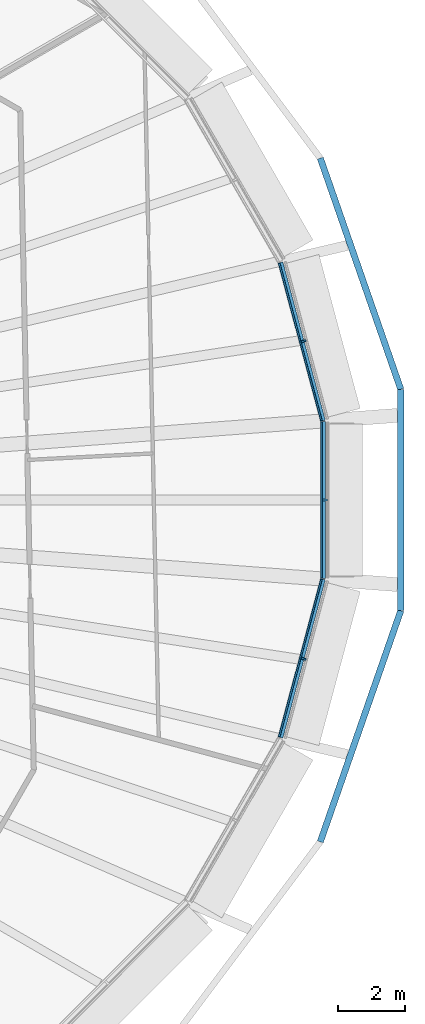
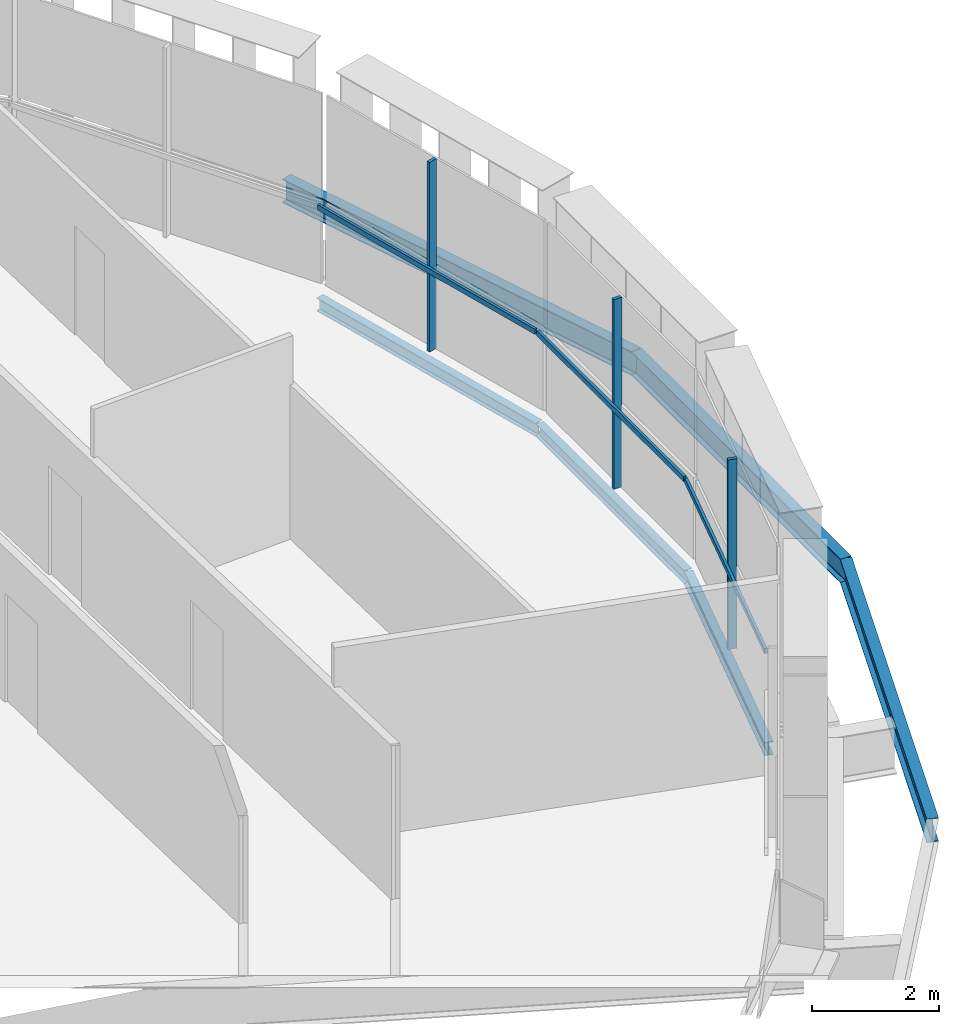
# One storey, part 12 of 26: 6 beams, 6 members, 3 elements without a shape of their own.
"""IFC4 building model written with IfcOpenShell, lengths in metres."""

from ifc_helpers import new_model, si_unit, direction, frame, origin, origin_2d, place, context, subcontext, project, spatial, rectangle, i_section, extrude, material, layer, layer_set, material_profile, profile_set, type_object, element, aggregate, save


model = new_model("IFC4")

# Units and contexts
model_context = context("Model", 3, precision=1e-05, world=origin(), true_north=direction((0.0, 1.0)))
body_context = subcontext(model_context, "Body", "Model", "MODEL_VIEW")
ifc_project = project(units=[si_unit("LENGTHUNIT", "METRE"), si_unit("AREAUNIT", "SQUARE_METRE"), si_unit("VOLUMEUNIT", "CUBIC_METRE"), si_unit("PLANEANGLEUNIT", "RADIAN"), si_unit("MASSUNIT", "GRAM", prefix="KILO")], contexts=[model_context])

# Site, building, storey
site_placement = place(None, origin())
site = spatial("IfcSite", under=ifc_project, at=site_placement, CompositionType="ELEMENT")
building_placement = place(site_placement, origin())
building = spatial("IfcBuilding", under=site, at=building_placement, Name="Sahrelin Media Tower", CompositionType="ELEMENT")
storey_placement = place(building_placement, frame((0.0, 0.0, 88.199951171875)))
storey = spatial("IfcBuildingStorey", under=building, at=storey_placement, Name="L16", CompositionType="ELEMENT", Elevation=88.199951171875)

# Beams
ifc_material_1 = material(Name="Steel S355", Category="steel")
ifc_material_profile_1 = material_profile(ifc_material_1, i_section(OverallWidth=0.14599609375, OverallDepth=0.25146484375, WebThickness=0.006103515625, FlangeThickness=0.008544921875, FilletRadius=0.007568359375, at=origin_2d()), Name="UB 254x146x31")
ifc_profile_set_1 = profile_set([ifc_material_profile_1], Name="Steel S355")
beam_type_1 = type_object("IfcBeamType", Name="Edge beam EB1", PredefinedType="BEAM", material=ifc_profile_set_1)
beam_1_placement = place(storey_placement, frame((31.561279296875, 2.33251953125, -0.275634765625), z_axis=(0.0, -1.0, 0.0), x_axis=(1.0, 0.0, 0.0)))
element("IfcBeam", 1, at=beam_1_placement, inside=storey, type_object=beam_type_1, Name="Edge beam L16-01", PredefinedType="BEAM", context=body_context, shape_type="SweptSolid", body=[
    extrude(i_section(OverallWidth=0.14599609375, OverallDepth=0.25146484375, WebThickness=0.006103515625, FlangeThickness=0.008544921875, FilletRadius=0.007568359375, at=origin_2d()), origin(), (0.0, 0.0, 1.0), 4.6650390625),
])
for number, where, z_axis, x_axis, name in (
    (2, (31.5576171875, -2.361083984375, -0.275634765625), (-0.258845236834, -0.965918807855, 0.0), (0.965918807855, -0.258845236834, 0.0), "Edge beam L16-02"),
    (3, (30.2939453125, 7.07666015625, -0.275634765625), (0.258845236834, -0.965918807855, 0.0), (0.965918807855, 0.258845236834, 0.0), "Edge beam L16-24"),
):
    element("IfcBeam", number, at=place(storey_placement, frame(where, z_axis=z_axis, x_axis=x_axis)), inside=storey, type_object=beam_type_1, Name=name, PredefinedType="BEAM", context=body_context, shape_type="SweptSolid", body=[
        extrude(i_section(OverallWidth=0.14599609375, OverallDepth=0.25146484375, WebThickness=0.006103515625, FlangeThickness=0.008544921875, FilletRadius=0.007568359375, at=origin_2d()), origin(), (0.0, 0.0, 1.0), 4.882080078125),
    ])

# Curtain wall, member
ifc_material_2 = material(Name="Champagne anodised aluminium 6063-T6", Category="aluminium")
ifc_layer = layer(ifc_material_2, 0.14990234375)
ifc_layer_set = layer_set([ifc_layer], Name="Tower ribbon curtain wall")
curtain_wall_type = type_object("IfcCurtainWallType", Name="Tower ribbon curtain wall", PredefinedType="NOTDEFINED", material=ifc_layer_set)
curtain_wall_1_placement = place(storey_placement, frame((31.711181640625, 0.0, 0.0), z_axis=(0.0, 0.0, 1.0), x_axis=(1.0, 0.0, 0.0)))
curtain_wall_1 = element("IfcCurtainWall", 4, at=curtain_wall_1_placement, inside=storey, type_object=curtain_wall_type, Name="L16:CW:L16-00", PredefinedType="NOTDEFINED")
ifc_material_profile_2 = material_profile(ifc_material_2, rectangle(XDim=0.06005859375, YDim=0.14990234375, at=origin_2d()), Name="Mullion 60x150")
ifc_profile_set_2 = profile_set([ifc_material_profile_2], Name="Champagne anodised aluminium 6063-T6")
member_type_1 = type_object("IfcMemberType", Name="Mullion 60x150 CW1", PredefinedType="MULLION", material=ifc_profile_set_2)
member_1_placement = place(storey_placement, frame((31.6162109375, 0.0, 0.0), z_axis=(0.0, 0.0, 1.0), x_axis=(0.0, 1.0, 0.0)))
member_1 = element("IfcMember", 5, at=member_1_placement, type_object=member_type_1, Name="L16:CWM:L16-00", PredefinedType="MULLION", context=body_context, shape_type="SweptSolid", body=[
    extrude(rectangle(XDim=0.06005859375, YDim=0.14990234375, at=origin_2d()), origin(), (0.0, 0.0, 1.0), 3.648681640625),
])

curtain_wall_2_placement = place(storey_placement, frame((31.07080078125, 4.757568359375, 0.0), z_axis=(0.0, 0.0, 1.0), x_axis=(1.0, 0.0, 0.0)))
curtain_wall_2 = element("IfcCurtainWall", 6, at=curtain_wall_2_placement, inside=storey, type_object=curtain_wall_type, Name="L16:CW:L16-01", PredefinedType="NOTDEFINED")
member_2_placement = place(storey_placement, frame((30.97900390625, 4.733154296875, 0.0), z_axis=(0.0, 0.0, 1.0), x_axis=(-0.258817359244, 0.965926278012, 0.0)))
member_2 = element("IfcMember", 7, at=member_2_placement, type_object=member_type_1, Name="L16:CWM:L16-01", PredefinedType="MULLION", context=body_context, shape_type="SweptSolid", body=[
    extrude(rectangle(XDim=0.06005859375, YDim=0.14990234375, at=origin_2d()), origin(), (0.0, 0.0, 1.0), 3.648681640625),
])

curtain_wall_3_placement = place(storey_placement, frame((31.07080078125, -4.757568359375, 0.0), z_axis=(0.0, 0.0, 1.0), x_axis=(1.0, 0.0, 0.0)))
curtain_wall_3 = element("IfcCurtainWall", 8, at=curtain_wall_3_placement, inside=storey, type_object=curtain_wall_type, Name="L16:CW:L16-23", PredefinedType="NOTDEFINED")
member_3_placement = place(storey_placement, frame((30.97900390625, -4.733154296875, 0.0), z_axis=(0.0, 0.0, 1.0), x_axis=(0.258817359244, 0.965926278012, 0.0)))
member_3 = element("IfcMember", 9, at=member_3_placement, type_object=member_type_1, Name="L16:CWM:L16-23", PredefinedType="MULLION", context=body_context, shape_type="SweptSolid", body=[
    extrude(rectangle(XDim=0.06005859375, YDim=0.14990234375, at=origin_2d()), origin(), (0.0, 0.0, 1.0), 3.648681640625),
])

# Beams
ifc_material_profile_3 = material_profile(ifc_material_1, i_section(OverallWidth=0.1904296875, OverallDepth=0.45703125, WebThickness=0.009033203125, FlangeThickness=0.014404296875, FilletRadius=0.01025390625, at=origin_2d()), Name="UB 457x191x74")
ifc_profile_set_3 = profile_set([ifc_material_profile_3], Name="Steel S355")
beam_type_2 = type_object("IfcBeamType", Name="Tie chord TC5", PredefinedType="BEAM", material=ifc_profile_set_3)
for number, where, z_axis, x_axis, name in (
    (10, (33.878662109375, 3.2958984375, -0.37841796875), (-0.32878287331, 0.944405539066, 0.0), (-0.944405539066, -0.32878287331, 0.0), "Tie chord L16-01"),
    (11, (31.480712890625, -10.183837890625, -0.37841796875), (0.32878287331, 0.944405539066, 0.0), (-0.944405539066, 0.32878287331, 0.0), "Tie chord L16-23"),
):
    element("IfcBeam", number, at=place(storey_placement, frame(where, z_axis=z_axis, x_axis=x_axis)), inside=storey, type_object=beam_type_2, Name=name, PredefinedType="BEAM", context=body_context, shape_type="SweptSolid", body=[
        extrude(i_section(OverallWidth=0.1904296875, OverallDepth=0.45703125, WebThickness=0.009033203125, FlangeThickness=0.014404296875, FilletRadius=0.01025390625, at=origin_2d()), origin(), (0.0, 0.0, 1.0), 7.29345703125),
    ])
beam_2_placement = place(storey_placement, frame((33.878662109375, -3.2958984375, -0.37841796875), z_axis=(0.0, 1.0, 0.0), x_axis=(-1.0, 0.0, 0.0)))
element("IfcBeam", 12, at=beam_2_placement, inside=storey, type_object=beam_type_2, Name="Tie chord L16-24", PredefinedType="BEAM", context=body_context, shape_type="SweptSolid", body=[
    extrude(i_section(OverallWidth=0.1904296875, OverallDepth=0.45703125, WebThickness=0.009033203125, FlangeThickness=0.014404296875, FilletRadius=0.01025390625, at=origin_2d()), origin(), (0.0, 0.0, 1.0), 6.591796875),
])

# Member
ifc_material_profile_4 = material_profile(ifc_material_2, rectangle(XDim=0.050048828125, YDim=0.10009765625, at=origin_2d()), Name="Transom 50x100")
ifc_profile_set_4 = profile_set([ifc_material_profile_4], Name="Champagne anodised aluminium 6063-T6")
member_type_2 = type_object("IfcMemberType", Name="Transom 50x100 CW1", PredefinedType="USERDEFINED", material=ifc_profile_set_4)
member_4_placement = place(storey_placement, frame((31.516357421875, -2.316650390625, 1.60009765625), z_axis=(0.0, 1.0, 0.0), x_axis=(-1.0, 0.0, 0.0)))
member_4 = element("IfcMember", 13, at=member_4_placement, type_object=member_type_2, Name="L16:CWT:L16-00", ObjectType="TRANSOM", PredefinedType="USERDEFINED", context=body_context, shape_type="SweptSolid", body=[
    extrude(rectangle(XDim=0.050048828125, YDim=0.10009765625, at=origin_2d()), origin(), (0.0, 0.0, 1.0), 4.63330078125),
])

aggregate(curtain_wall_1, [member_1, member_4])

member_5_placement = place(storey_placement, frame((31.510009765625, 2.364501953125, 1.60009765625), z_axis=(-0.258809044708, 0.965928505831, 0.0), x_axis=(-0.965928505831, -0.258809044708, 0.0)))
member_5 = element("IfcMember", 14, at=member_5_placement, type_object=member_type_2, Name="L16:CWT:L16-01", ObjectType="TRANSOM", PredefinedType="USERDEFINED", context=body_context, shape_type="SweptSolid", body=[
    extrude(rectangle(XDim=0.050048828125, YDim=0.10009765625, at=origin_2d()), origin(), (0.0, 0.0, 1.0), 4.8505859375),
])

aggregate(curtain_wall_2, [member_2, member_5])

member_6_placement = place(storey_placement, frame((30.254638671875, -7.0498046875, 1.60009765625), z_axis=(0.258809044708, 0.965928505831, 0.0), x_axis=(-0.965928505831, 0.258809044708, 0.0)))
member_6 = element("IfcMember", 15, at=member_6_placement, type_object=member_type_2, Name="L16:CWT:L16-23", ObjectType="TRANSOM", PredefinedType="USERDEFINED", context=body_context, shape_type="SweptSolid", body=[
    extrude(rectangle(XDim=0.050048828125, YDim=0.10009765625, at=origin_2d()), origin(), (0.0, 0.0, 1.0), 4.8505859375),
])

aggregate(curtain_wall_3, [member_3, member_6])

save(model, "model.ifc")
